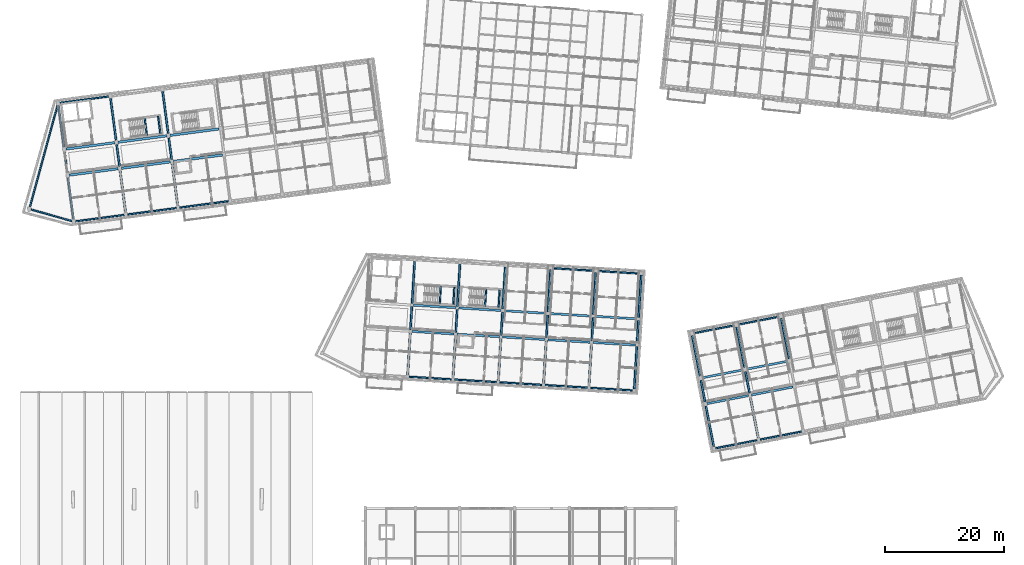
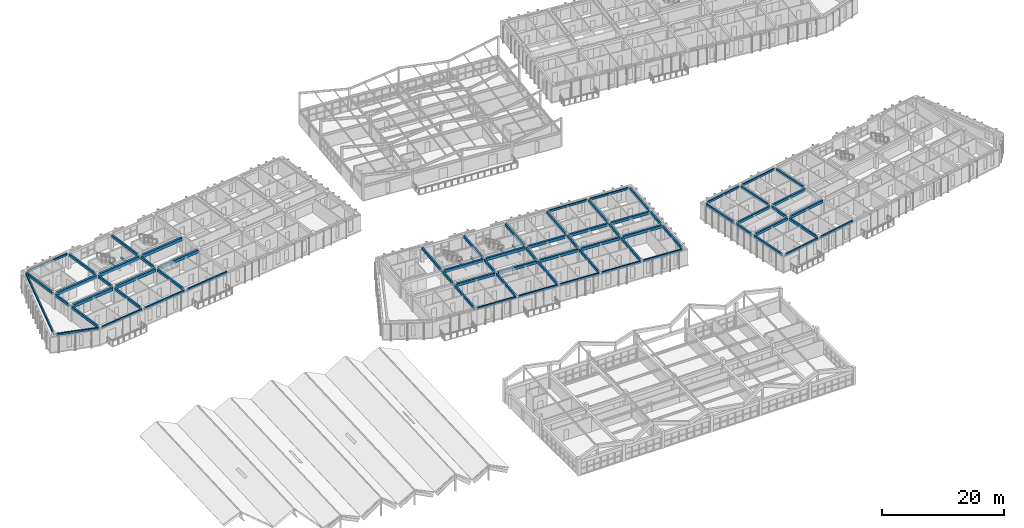
# One storey, part 33 of 127: 77 beams.
"""IFC4 building model written with IfcOpenShell, lengths in metres."""

from ifc_helpers import new_model, si_unit, direction, frame, origin, origin_2d, place, context, subcontext, project, spatial, rectangle, extrude, material, material_profile, profile_set, type_object, element, save


model = new_model("IFC4")

# Units and contexts
model_context = context("Model", 3, precision=1e-05, world=origin(), true_north=direction((0.0, 1.0)))
body_context = subcontext(model_context, "Body", "Model", "MODEL_VIEW")
ifc_project = project(units=[si_unit("LENGTHUNIT", "METRE"), si_unit("AREAUNIT", "SQUARE_METRE"), si_unit("VOLUMEUNIT", "CUBIC_METRE"), si_unit("PLANEANGLEUNIT", "RADIAN"), si_unit("MASSUNIT", "GRAM", prefix="KILO")], contexts=[model_context])

# Site, building, storey
site_placement = place(None, origin())
site = spatial("IfcSite", under=ifc_project, at=site_placement, CompositionType="ELEMENT")
building_placement = place(site_placement, origin())
building = spatial("IfcBuilding", under=site, at=building_placement, Name="Kestramere Prow Commons", CompositionType="ELEMENT")
storey_placement = place(building_placement, frame((0.0, 0.0, 8.39990234375)))
storey = spatial("IfcBuildingStorey", under=building, at=storey_placement, Name="L02", CompositionType="ELEMENT", Elevation=8.39990234375)

# Beams
ifc_material_1 = material(Name="Precast concrete C40/50", Category="concrete")
ifc_material_profile_1 = material_profile(ifc_material_1, rectangle(XDim=0.39990234375, YDim=0.60009765625, at=origin_2d()), Name="PC-BM 400x600")
ifc_profile_set_1 = profile_set([ifc_material_profile_1], Name="Precast concrete C40/50")
beam_type_1 = type_object("IfcBeamType", Name="BM-A1 PC-BM 400x600", PredefinedType="BEAM", material=ifc_profile_set_1)
for number, where, z_axis, x_axis, name in (
    (1, (10.45458984375, 79.76904296875, 2.7001953125), (0.991443917843, 0.130533358852, 0.0), (-0.130533358852, 0.991443917843, 0.0), "Block A L02 Longitudinal Beam 2-1"),
    (2, (19.17919921875, 80.917724609375, 2.7001953125), (0.991443917843, 0.130533358852, 0.0), (-0.130533358852, 0.991443917843, 0.0), "Block A L02 Longitudinal Beam 2-2"),
    (3, (27.904052734375, 82.06640625, 2.7001953125), (0.991443917843, 0.130533358852, 0.0), (-0.130533358852, 0.991443917843, 0.0), "Block A L02 Longitudinal Beam 2-3"),
    (4, (9.880126953125, 84.131591796875, 2.7001953125), (0.991447747213, 0.130504270221, 0.0), (-0.130504270221, 0.991447747213, 0.0), "Block A L02 Longitudinal Beam 3-1"),
    (5, (18.60498046875, 85.2802734375, 2.7001953125), (0.991447747213, 0.130504270221, 0.0), (-0.130504270221, 0.991447747213, 0.0), "Block A L02 Longitudinal Beam 3-2"),
    (6, (27.32958984375, 86.4287109375, 2.7001953125), (0.991443917843, 0.130533358852, 0.0), (-0.130533358852, 0.991443917843, 0.0), "Block A L02 Longitudinal Beam 3-3"),
):
    element("IfcBeam", number, at=place(storey_placement, frame(where, z_axis=z_axis, x_axis=x_axis)), inside=storey, type_object=beam_type_1, Name=name, PredefinedType="BEAM", context=body_context, shape_type="SweptSolid", body=[
        extrude(rectangle(XDim=0.39990234375, YDim=0.60009765625, at=origin_2d()), origin(), (0.0, 0.0, 1.0), 8.25),
    ])
ifc_material_profile_2 = material_profile(ifc_material_1, rectangle(XDim=0.35009765625, YDim=0.550048828125, at=origin_2d()), Name="PC-BM 350x550")
ifc_profile_set_2 = profile_set([ifc_material_profile_2], Name="Precast concrete C40/50")
beam_type_2 = type_object("IfcBeamType", Name="BM-C1 PC-BM 350x550", PredefinedType="BEAM", material=ifc_profile_set_2)
for number, where, z_axis, x_axis, name in (
    (7, (67.79931640625, 53.606689453125, 2.72509765625), (0.998133472633, -0.061070212127, 0.0), (0.061070212127, 0.998133472633, 0.0), "Block C L02 Longitudinal Beam 2-2"),
    (8, (75.38525390625, 53.142578125, 2.72509765625), (0.998135568114, -0.061035953884, 0.0), (0.061035953884, 0.998135568114, 0.0), "Block C L02 Longitudinal Beam 2-3"),
    (9, (82.970947265625, 52.6787109375, 2.72509765625), (0.998133472633, -0.061070212127, 0.0), (0.061070212127, 0.998133472633, 0.0), "Block C L02 Longitudinal Beam 2-4"),
    (10, (90.556884765625, 52.214599609375, 2.72509765625), (0.998135568114, -0.061035953884, 0.0), (0.061035953884, 0.998135568114, 0.0), "Block C L02 Longitudinal Beam 2-5"),
):
    element("IfcBeam", number, at=place(storey_placement, frame(where, z_axis=z_axis, x_axis=x_axis)), inside=storey, type_object=beam_type_2, Name=name, PredefinedType="BEAM", context=body_context, shape_type="SweptSolid", body=[
        extrude(rectangle(XDim=0.35009765625, YDim=0.550048828125, at=origin_2d()), origin(), (0.0, 0.0, 1.0), 7.099853515625),
    ])
for number, where, z_axis, x_axis, name in (
    (11, (98.142578125, 51.750732421875, 2.72509765625), (0.99813569621, -0.061033859059, 0.0), (0.061033859059, 0.99813569621, 0.0), "Block C L02 Longitudinal Beam 2-6"),
    (12, (68.06787109375, 57.998291015625, 2.72509765625), (0.99813569621, -0.061033859059, 0.0), (0.061033859059, 0.99813569621, 0.0), "Block C L02 Longitudinal Beam 3-2"),
):
    element("IfcBeam", number, at=place(storey_placement, frame(where, z_axis=z_axis, x_axis=x_axis)), inside=storey, type_object=beam_type_2, Name=name, PredefinedType="BEAM", context=body_context, shape_type="SweptSolid", body=[
        extrude(rectangle(XDim=0.35009765625, YDim=0.550048828125, at=origin_2d()), origin(), (0.0, 0.0, 1.0), 7.10009765625),
    ])
beam_1_placement = place(storey_placement, frame((75.65380859375, 57.534423828125, 2.72509765625), z_axis=(0.998135568114, -0.061035953884, 0.0), x_axis=(0.061035953884, 0.998135568114, 0.0)))
element("IfcBeam", 13, at=beam_1_placement, inside=storey, type_object=beam_type_2, Name="Block C L02 Longitudinal Beam 3-3", PredefinedType="BEAM", context=body_context, shape_type="SweptSolid", body=[
    extrude(rectangle(XDim=0.35009765625, YDim=0.550048828125, at=origin_2d()), origin(), (0.0, 0.0, 1.0), 7.099853515625),
])
beam_2_placement = place(storey_placement, frame((83.239501953125, 57.070556640625, 2.72509765625), z_axis=(0.998133600873, -0.061068116134, 0.0), x_axis=(0.061068116134, 0.998133600873, 0.0)))
element("IfcBeam", 14, at=beam_2_placement, inside=storey, type_object=beam_type_2, Name="Block C L02 Longitudinal Beam 3-4", PredefinedType="BEAM", context=body_context, shape_type="SweptSolid", body=[
    extrude(rectangle(XDim=0.35009765625, YDim=0.550048828125, at=origin_2d()), origin(), (0.0, 0.0, 1.0), 7.10009765625),
])
beam_3_placement = place(storey_placement, frame((90.825439453125, 56.6064453125, 2.72509765625), z_axis=(0.998135568114, -0.061035953884, 0.0), x_axis=(0.061035953884, 0.998135568114, 0.0)))
element("IfcBeam", 15, at=beam_3_placement, inside=storey, type_object=beam_type_2, Name="Block C L02 Longitudinal Beam 3-5", PredefinedType="BEAM", context=body_context, shape_type="SweptSolid", body=[
    extrude(rectangle(XDim=0.35009765625, YDim=0.550048828125, at=origin_2d()), origin(), (0.0, 0.0, 1.0), 7.099853515625),
])
beam_4_placement = place(storey_placement, frame((98.4111328125, 56.142578125, 2.72509765625), z_axis=(0.998133600873, -0.061068116134, 0.0), x_axis=(0.061068116134, 0.998133600873, 0.0)))
element("IfcBeam", 16, at=beam_4_placement, inside=storey, type_object=beam_type_2, Name="Block C L02 Longitudinal Beam 3-6", PredefinedType="BEAM", context=body_context, shape_type="SweptSolid", body=[
    extrude(rectangle(XDim=0.35009765625, YDim=0.550048828125, at=origin_2d()), origin(), (0.0, 0.0, 1.0), 7.10009765625),
])
ifc_material_profile_3 = material_profile(ifc_material_1, rectangle(XDim=0.35009765625, YDim=0.5, at=origin_2d()), Name="PC-BM 350x500")
ifc_profile_set_3 = profile_set([ifc_material_profile_3], Name="Precast concrete C40/50")
beam_type_3 = type_object("IfcBeamType", Name="BM-D1 PC-BM 350x500", PredefinedType="BEAM", material=ifc_profile_set_3)
beam_5_placement = place(storey_placement, frame((117.1953125, 41.508056640625, 2.75), z_axis=(0.981627020401, 0.190809834175, 0.0), x_axis=(-0.190809834175, 0.981627020401, 0.0)))
element("IfcBeam", 17, at=beam_5_placement, inside=storey, type_object=beam_type_3, Name="Block D L02 Longitudinal Beam 2-1", PredefinedType="BEAM", context=body_context, shape_type="SweptSolid", body=[
    extrude(rectangle(XDim=0.35009765625, YDim=0.5, at=origin_2d()), origin(), (0.0, 0.0, 1.0), 7.099853515625),
])
beam_6_placement = place(storey_placement, frame((124.655517578125, 42.958251953125, 2.75), z_axis=(0.98162827229, 0.190803393686, 0.0), x_axis=(-0.190803393686, 0.98162827229, 0.0)))
element("IfcBeam", 18, at=beam_6_placement, inside=storey, type_object=beam_type_3, Name="Block D L02 Longitudinal Beam 2-2", PredefinedType="BEAM", context=body_context, shape_type="SweptSolid", body=[
    extrude(rectangle(XDim=0.35009765625, YDim=0.5, at=origin_2d()), origin(), (0.0, 0.0, 1.0), 7.10009765625),
])
for number, where, z_axis, x_axis, name in (
    (19, (116.355712890625, 45.8271484375, 2.75), (0.981627020401, 0.190809834175, 0.0), (-0.190809834175, 0.981627020401, 0.0), "Block D L02 Longitudinal Beam 3-1"),
    (20, (123.816162109375, 47.27734375, 2.75), (0.981627020401, 0.190809834175, 0.0), (-0.190809834175, 0.981627020401, 0.0), "Block D L02 Longitudinal Beam 3-2"),
):
    element("IfcBeam", number, at=place(storey_placement, frame(where, z_axis=z_axis, x_axis=x_axis)), inside=storey, type_object=beam_type_3, Name=name, PredefinedType="BEAM", context=body_context, shape_type="SweptSolid", body=[
        extrude(rectangle(XDim=0.35009765625, YDim=0.5, at=origin_2d()), origin(), (0.0, 0.0, 1.0), 7.099853515625),
    ])
ifc_material_2 = material(Name="Concrete C40/50", Category="concrete")
ifc_material_profile_4 = material_profile(ifc_material_2, rectangle(XDim=0.25, YDim=0.35009765625, at=origin_2d()), Name="PC-BM 250x350")
ifc_profile_set_4 = profile_set([ifc_material_profile_4], Name="Concrete C40/50")
beam_type_4 = type_object("IfcBeamType", Name="BM-ST-TRIM", PredefinedType="BEAM", material=ifc_profile_set_4)
for number, where, z_axis, x_axis, name in (
    (21, (23.4384765625, 86.451171875, 1.25), (-0.130520071219, 0.9914456672, 0.0), (-0.9914456672, -0.130520071219, 0.0), "ST-A1 L02 Landing Trimmer Beam 1A"),
    (22, (25.698974609375, 86.748779296875, 1.25), (-0.130520071219, 0.9914456672, 0.0), (-0.9914456672, -0.130520071219, 0.0), "ST-A1 L02 Landing Trimmer Beam 1B"),
):
    element("IfcBeam", number, at=place(storey_placement, frame(where, z_axis=z_axis, x_axis=x_axis)), inside=storey, type_object=beam_type_4, Name=name, PredefinedType="BEAM", context=body_context, shape_type="SweptSolid", body=[
        extrude(rectangle(XDim=0.25, YDim=0.35009765625, at=origin_2d()), origin(), (0.0, 0.0, 1.0), 2.889892578125),
    ])
for number, where, z_axis, x_axis, name in (
    (23, (72.462158203125, 58.260498046875, 1.25), (0.061073995712, 0.99813324113, 0.0), (-0.99813324113, 0.061073995712, 0.0), "ST-C1 L02 Landing Trimmer Beam 1A"),
    (24, (74.73779296875, 58.121337890625, 1.25), (0.061073995712, 0.99813324113, 0.0), (-0.99813324113, 0.061073995712, 0.0), "ST-C1 L02 Landing Trimmer Beam 1B"),
):
    element("IfcBeam", number, at=place(storey_placement, frame(where, z_axis=z_axis, x_axis=x_axis)), inside=storey, type_object=beam_type_4, Name=name, PredefinedType="BEAM", context=body_context, shape_type="SweptSolid", body=[
        extrude(rectangle(XDim=0.25, YDim=0.35009765625, at=origin_2d()), origin(), (0.0, 0.0, 1.0), 2.89013671875),
    ])
for number, where, z_axis, x_axis, name in (
    (25, (80.0478515625, 57.796630859375, 1.25), (0.06107914562, 0.998132926003, 0.0), (-0.998132926003, 0.06107914562, 0.0), "ST-C2 L02 Landing Trimmer Beam 1A"),
    (26, (82.32373046875, 57.657470703125, 1.25), (0.06107914562, 0.998132926003, 0.0), (-0.998132926003, 0.06107914562, 0.0), "ST-C2 L02 Landing Trimmer Beam 1B"),
):
    element("IfcBeam", number, at=place(storey_placement, frame(where, z_axis=z_axis, x_axis=x_axis)), inside=storey, type_object=beam_type_4, Name=name, PredefinedType="BEAM", context=body_context, shape_type="SweptSolid", body=[
        extrude(rectangle(XDim=0.25, YDim=0.35009765625, at=origin_2d()), origin(), (0.0, 0.0, 1.0), 2.889892578125),
    ])
ifc_material_profile_5 = material_profile(ifc_material_1, rectangle(XDim=0.300048828125, YDim=0.5, at=origin_2d()), Name="PC-BM 300x500")
ifc_profile_set_5 = profile_set([ifc_material_profile_5], Name="Precast concrete C40/50")
beam_type_5 = type_object("IfcBeamType", Name="BM-TIE-01 PC-BM 300x500", PredefinedType="BEAM", material=ifc_profile_set_5)
beam_7_placement = place(storey_placement, frame((11.151123046875, 72.371826171875, 2.75), z_axis=(-0.130519009654, 0.99144580695, 0.0), x_axis=(-0.99144580695, -0.130519009654, 0.0)))
element("IfcBeam", 27, at=beam_7_placement, inside=storey, type_object=beam_type_5, Name="Block A L02 Transverse Beam 1-1", PredefinedType="BEAM", context=body_context, shape_type="SweptSolid", body=[
    extrude(rectangle(XDim=0.300048828125, YDim=0.5, at=origin_2d()), origin(), (0.0, 0.0, 1.0), 7.050048828125),
])
beam_8_placement = place(storey_placement, frame((10.133056640625, 80.10498046875, 2.75), z_axis=(-0.13056005306, 0.991440402921, 0.0), x_axis=(-0.991440402921, -0.13056005306, 0.0)))
element("IfcBeam", 28, at=beam_8_placement, inside=storey, type_object=beam_type_5, Name="Block A L02 Transverse Beam 1-2", PredefinedType="BEAM", context=body_context, shape_type="SweptSolid", body=[
    extrude(rectangle(XDim=0.300048828125, YDim=0.5, at=origin_2d()), origin(), (0.0, 0.0, 1.0), 3.650146484375),
])
for number, where, z_axis, x_axis, name in (
    (29, (9.55859375, 84.467529296875, 2.75), (-0.130523490966, 0.991445216997, 0.0), (-0.991445216997, -0.130523490966, 0.0), "Block A L02 Transverse Beam 1-3"),
    (30, (19.875732421875, 73.5205078125, 2.75), (-0.130523490966, 0.991445216997, 0.0), (-0.991445216997, -0.130523490966, 0.0), "Block A L02 Transverse Beam 2-1"),
):
    element("IfcBeam", number, at=place(storey_placement, frame(where, z_axis=z_axis, x_axis=x_axis)), inside=storey, type_object=beam_type_5, Name=name, PredefinedType="BEAM", context=body_context, shape_type="SweptSolid", body=[
        extrude(rectangle(XDim=0.300048828125, YDim=0.5, at=origin_2d()), origin(), (0.0, 0.0, 1.0), 7.0498046875),
    ])
beam_9_placement = place(storey_placement, frame((18.857666015625, 81.253662109375, 2.75), z_axis=(-0.130494307047, 0.991449058615, 0.0), x_axis=(-0.991449058615, -0.130494307047, 0.0)))
element("IfcBeam", 31, at=beam_9_placement, inside=storey, type_object=beam_type_5, Name="Block A L02 Transverse Beam 2-2", PredefinedType="BEAM", context=body_context, shape_type="SweptSolid", body=[
    extrude(rectangle(XDim=0.300048828125, YDim=0.5, at=origin_2d()), origin(), (0.0, 0.0, 1.0), 3.650146484375),
])
for number, where, z_axis, x_axis, name in (
    (32, (18.283447265625, 85.615966796875, 2.75), (-0.130553049113, 0.991441325227, 0.0), (-0.991441325227, -0.130553049113, 0.0), "Block A L02 Transverse Beam 2-3"),
    (33, (28.6005859375, 74.6689453125, 2.75), (-0.130553049113, 0.991441325227, 0.0), (-0.991441325227, -0.130553049113, 0.0), "Block A L02 Transverse Beam 3-1"),
):
    element("IfcBeam", number, at=place(storey_placement, frame(where, z_axis=z_axis, x_axis=x_axis)), inside=storey, type_object=beam_type_5, Name=name, PredefinedType="BEAM", context=body_context, shape_type="SweptSolid", body=[
        extrude(rectangle(XDim=0.300048828125, YDim=0.5, at=origin_2d()), origin(), (0.0, 0.0, 1.0), 7.050048828125),
    ])
beam_10_placement = place(storey_placement, frame((27.582275390625, 82.40234375, 2.75), z_axis=(-0.130502961205, 0.991447919518, 0.0), x_axis=(-0.991447919518, -0.130502961205, 0.0)))
element("IfcBeam", 34, at=beam_10_placement, inside=storey, type_object=beam_type_5, Name="Block A L02 Transverse Beam 3-2", PredefinedType="BEAM", context=body_context, shape_type="SweptSolid", body=[
    extrude(rectangle(XDim=0.300048828125, YDim=0.5, at=origin_2d()), origin(), (0.0, 0.0, 1.0), 3.64990234375),
])
beam_11_placement = place(storey_placement, frame((27.008056640625, 86.7646484375, 2.75), z_axis=(-0.130519009654, 0.99144580695, 0.0), x_axis=(-0.99144580695, -0.130519009654, 0.0)))
element("IfcBeam", 35, at=beam_11_placement, inside=storey, type_object=beam_type_5, Name="Block A L02 Transverse Beam 3-3", PredefinedType="BEAM", context=body_context, shape_type="SweptSolid", body=[
    extrude(rectangle(XDim=0.300048828125, YDim=0.5, at=origin_2d()), origin(), (0.0, 0.0, 1.0), 7.050048828125),
])
beam_12_placement = place(storey_placement, frame((67.10107421875, 46.28564453125, 2.75), z_axis=(0.061035953884, 0.998135568114, 0.0), x_axis=(-0.998135568114, 0.061035953884, 0.0)))
element("IfcBeam", 36, at=beam_12_placement, inside=storey, type_object=beam_type_5, Name="Block C L02 Transverse Beam 2-1", PredefinedType="BEAM", context=body_context, shape_type="SweptSolid", body=[
    extrude(rectangle(XDim=0.300048828125, YDim=0.5, at=origin_2d()), origin(), (0.0, 0.0, 1.0), 7.099853515625),
])
beam_13_placement = place(storey_placement, frame((67.56494140625, 53.871337890625, 2.75), z_axis=(0.061096063045, 0.998131890624, 0.0), x_axis=(-0.998131890624, 0.061096063045, 0.0)))
element("IfcBeam", 37, at=beam_13_placement, inside=storey, type_object=beam_type_5, Name="Block C L02 Transverse Beam 2-2", PredefinedType="BEAM", context=body_context, shape_type="SweptSolid", body=[
    extrude(rectangle(XDim=0.300048828125, YDim=0.5, at=origin_2d()), origin(), (0.0, 0.0, 1.0), 3.900146484375),
])
beam_14_placement = place(storey_placement, frame((67.833740234375, 58.26318359375, 2.75), z_axis=(0.061035953884, 0.998135568114, 0.0), x_axis=(-0.998135568114, 0.061035953884, 0.0)))
element("IfcBeam", 38, at=beam_14_placement, inside=storey, type_object=beam_type_5, Name="Block C L02 Transverse Beam 2-3", PredefinedType="BEAM", context=body_context, shape_type="SweptSolid", body=[
    extrude(rectangle(XDim=0.300048828125, YDim=0.5, at=origin_2d()), origin(), (0.0, 0.0, 1.0), 7.099853515625),
])
beam_15_placement = place(storey_placement, frame((74.68701171875, 45.821533203125, 2.75), z_axis=(0.061033859059, 0.99813569621, 0.0), x_axis=(-0.99813569621, 0.061033859059, 0.0)))
element("IfcBeam", 39, at=beam_15_placement, inside=storey, type_object=beam_type_5, Name="Block C L02 Transverse Beam 3-1", PredefinedType="BEAM", context=body_context, shape_type="SweptSolid", body=[
    extrude(rectangle(XDim=0.300048828125, YDim=0.5, at=origin_2d()), origin(), (0.0, 0.0, 1.0), 7.10009765625),
])
beam_16_placement = place(storey_placement, frame((75.15087890625, 53.407470703125, 2.75), z_axis=(0.061037511668, 0.998135472854, 0.0), x_axis=(-0.998135472854, 0.061037511668, 0.0)))
element("IfcBeam", 40, at=beam_16_placement, inside=storey, type_object=beam_type_5, Name="Block C L02 Transverse Beam 3-2", PredefinedType="BEAM", context=body_context, shape_type="SweptSolid", body=[
    extrude(rectangle(XDim=0.300048828125, YDim=0.5, at=origin_2d()), origin(), (0.0, 0.0, 1.0), 3.89990234375),
])
for number, where, z_axis, x_axis, name in (
    (41, (75.41943359375, 57.79931640625, 2.75), (0.061070212127, 0.998133472633, 0.0), (-0.998133472633, 0.061070212127, 0.0), "Block C L02 Transverse Beam 3-3"),
    (42, (82.272705078125, 45.357666015625, 2.75), (0.061070212127, 0.998133472633, 0.0), (-0.998133472633, 0.061070212127, 0.0), "Block C L02 Transverse Beam 4-1"),
):
    element("IfcBeam", number, at=place(storey_placement, frame(where, z_axis=z_axis, x_axis=x_axis)), inside=storey, type_object=beam_type_5, Name=name, PredefinedType="BEAM", context=body_context, shape_type="SweptSolid", body=[
        extrude(rectangle(XDim=0.300048828125, YDim=0.5, at=origin_2d()), origin(), (0.0, 0.0, 1.0), 7.099853515625),
    ])
beam_17_placement = place(storey_placement, frame((82.73681640625, 52.943359375, 2.75), z_axis=(0.061033697925, 0.998135706063, 0.0), x_axis=(-0.998135706063, 0.061033697925, 0.0)))
element("IfcBeam", 43, at=beam_17_placement, inside=storey, type_object=beam_type_5, Name="Block C L02 Transverse Beam 4-2", PredefinedType="BEAM", context=body_context, shape_type="SweptSolid", body=[
    extrude(rectangle(XDim=0.300048828125, YDim=0.5, at=origin_2d()), origin(), (0.0, 0.0, 1.0), 3.900146484375),
])
for number, where, z_axis, x_axis, name in (
    (44, (83.00537109375, 57.335205078125, 2.75), (0.061033859059, 0.99813569621, 0.0), (-0.99813569621, 0.061033859059, 0.0), "Block C L02 Transverse Beam 4-3"),
    (45, (89.858642578125, 44.8935546875, 2.75), (0.061033859059, 0.99813569621, 0.0), (-0.99813569621, 0.061033859059, 0.0), "Block C L02 Transverse Beam 5-1"),
):
    element("IfcBeam", number, at=place(storey_placement, frame(where, z_axis=z_axis, x_axis=x_axis)), inside=storey, type_object=beam_type_5, Name=name, PredefinedType="BEAM", context=body_context, shape_type="SweptSolid", body=[
        extrude(rectangle(XDim=0.300048828125, YDim=0.5, at=origin_2d()), origin(), (0.0, 0.0, 1.0), 7.10009765625),
    ])
beam_18_placement = place(storey_placement, frame((90.322509765625, 52.4794921875, 2.75), z_axis=(0.061033697925, 0.998135706063, 0.0), x_axis=(-0.998135706063, 0.061033697925, 0.0)))
element("IfcBeam", 46, at=beam_18_placement, inside=storey, type_object=beam_type_5, Name="Block C L02 Transverse Beam 5-2", PredefinedType="BEAM", context=body_context, shape_type="SweptSolid", body=[
    extrude(rectangle(XDim=0.300048828125, YDim=0.5, at=origin_2d()), origin(), (0.0, 0.0, 1.0), 3.900146484375),
])
for number, where, z_axis, x_axis, name in (
    (47, (90.591064453125, 56.871337890625, 2.75), (0.061070212127, 0.998133472633, 0.0), (-0.998133472633, 0.061070212127, 0.0), "Block C L02 Transverse Beam 5-3"),
    (48, (97.4443359375, 44.4296875, 2.75), (0.061070212127, 0.998133472633, 0.0), (-0.998133472633, 0.061070212127, 0.0), "Block C L02 Transverse Beam 6-1"),
):
    element("IfcBeam", number, at=place(storey_placement, frame(where, z_axis=z_axis, x_axis=x_axis)), inside=storey, type_object=beam_type_5, Name=name, PredefinedType="BEAM", context=body_context, shape_type="SweptSolid", body=[
        extrude(rectangle(XDim=0.300048828125, YDim=0.5, at=origin_2d()), origin(), (0.0, 0.0, 1.0), 7.099853515625),
    ])
beam_19_placement = place(storey_placement, frame((97.908447265625, 52.015625, 2.75), z_axis=(0.061037511668, 0.998135472854, 0.0), x_axis=(-0.998135472854, 0.061037511668, 0.0)))
element("IfcBeam", 49, at=beam_19_placement, inside=storey, type_object=beam_type_5, Name="Block C L02 Transverse Beam 6-2", PredefinedType="BEAM", context=body_context, shape_type="SweptSolid", body=[
    extrude(rectangle(XDim=0.300048828125, YDim=0.5, at=origin_2d()), origin(), (0.0, 0.0, 1.0), 3.89990234375),
])
beam_20_placement = place(storey_placement, frame((98.177001953125, 56.4072265625, 2.75), z_axis=(0.061033859059, 0.99813569621, 0.0), x_axis=(-0.99813569621, 0.061033859059, 0.0)))
element("IfcBeam", 50, at=beam_20_placement, inside=storey, type_object=beam_type_5, Name="Block C L02 Transverse Beam 6-3", PredefinedType="BEAM", context=body_context, shape_type="SweptSolid", body=[
    extrude(rectangle(XDim=0.300048828125, YDim=0.5, at=origin_2d()), origin(), (0.0, 0.0, 1.0), 7.10009765625),
])
beam_21_placement = place(storey_placement, frame((105.0302734375, 43.9658203125, 2.75), z_axis=(0.061035953884, 0.998135568114, 0.0), x_axis=(-0.998135568114, 0.061035953884, 0.0)))
element("IfcBeam", 51, at=beam_21_placement, inside=storey, type_object=beam_type_5, Name="Block C L02 Transverse Beam 7-1", PredefinedType="BEAM", context=body_context, shape_type="SweptSolid", body=[
    extrude(rectangle(XDim=0.300048828125, YDim=0.5, at=origin_2d()), origin(), (0.0, 0.0, 1.0), 7.099853515625),
])
beam_22_placement = place(storey_placement, frame((105.494140625, 51.551513671875, 2.75), z_axis=(0.061033697925, 0.998135706063, 0.0), x_axis=(-0.998135706063, 0.061033697925, 0.0)))
element("IfcBeam", 52, at=beam_22_placement, inside=storey, type_object=beam_type_5, Name="Block C L02 Transverse Beam 7-2", PredefinedType="BEAM", context=body_context, shape_type="SweptSolid", body=[
    extrude(rectangle(XDim=0.300048828125, YDim=0.5, at=origin_2d()), origin(), (0.0, 0.0, 1.0), 3.900146484375),
])
beam_23_placement = place(storey_placement, frame((105.7626953125, 55.943359375, 2.75), z_axis=(0.061070212127, 0.998133472633, 0.0), x_axis=(-0.998133472633, 0.061070212127, 0.0)))
element("IfcBeam", 53, at=beam_23_placement, inside=storey, type_object=beam_type_5, Name="Block C L02 Transverse Beam 7-3", PredefinedType="BEAM", context=body_context, shape_type="SweptSolid", body=[
    extrude(rectangle(XDim=0.300048828125, YDim=0.5, at=origin_2d()), origin(), (0.0, 0.0, 1.0), 7.099853515625),
])
beam_24_placement = place(storey_placement, frame((118.333251953125, 34.343505859375, 2.75), z_axis=(-0.190819465253, 0.981625148252, 0.0), x_axis=(-0.981625148252, -0.190819465253, 0.0)))
element("IfcBeam", 54, at=beam_24_placement, inside=storey, type_object=beam_type_5, Name="Block D L02 Transverse Beam 1-1", PredefinedType="BEAM", context=body_context, shape_type="SweptSolid", body=[
    extrude(rectangle(XDim=0.300048828125, YDim=0.5, at=origin_2d()), origin(), (0.0, 0.0, 1.0), 6.89990234375),
])
beam_25_placement = place(storey_placement, frame((116.883056640625, 41.803955078125, 2.75), z_axis=(-0.190821974723, 0.981624660429, 0.0), x_axis=(-0.981624660429, -0.190821974723, 0.0)))
element("IfcBeam", 55, at=beam_25_placement, inside=storey, type_object=beam_type_5, Name="Block D L02 Transverse Beam 1-2", PredefinedType="BEAM", context=body_context, shape_type="SweptSolid", body=[
    extrude(rectangle(XDim=0.300048828125, YDim=0.5, at=origin_2d()), origin(), (0.0, 0.0, 1.0), 3.699951171875),
])
for number, where, z_axis, x_axis, name in (
    (56, (116.04345703125, 46.123046875, 2.75), (-0.190819465253, 0.981625148252, 0.0), (-0.981625148252, -0.190819465253, 0.0), "Block D L02 Transverse Beam 1-3"),
    (57, (125.793701171875, 35.793701171875, 2.75), (-0.190819465253, 0.981625148252, 0.0), (-0.981625148252, -0.190819465253, 0.0), "Block D L02 Transverse Beam 2-1"),
):
    element("IfcBeam", number, at=place(storey_placement, frame(where, z_axis=z_axis, x_axis=x_axis)), inside=storey, type_object=beam_type_5, Name=name, PredefinedType="BEAM", context=body_context, shape_type="SweptSolid", body=[
        extrude(rectangle(XDim=0.300048828125, YDim=0.5, at=origin_2d()), origin(), (0.0, 0.0, 1.0), 6.89990234375),
    ])
beam_26_placement = place(storey_placement, frame((124.343505859375, 43.254150390625, 2.75), z_axis=(-0.190834335095, 0.981622257566, 0.0), x_axis=(-0.981622257566, -0.190834335095, 0.0)))
element("IfcBeam", 58, at=beam_26_placement, inside=storey, type_object=beam_type_5, Name="Block D L02 Transverse Beam 2-2", PredefinedType="BEAM", context=body_context, shape_type="SweptSolid", body=[
    extrude(rectangle(XDim=0.300048828125, YDim=0.5, at=origin_2d()), origin(), (0.0, 0.0, 1.0), 3.699951171875),
])
for number, where, z_axis, x_axis, name in (
    (59, (123.50390625, 47.5732421875, 2.75), (-0.190819465253, 0.981625148252, 0.0), (-0.981625148252, -0.190819465253, 0.0), "Block D L02 Transverse Beam 2-3"),
    (60, (130.96435546875, 49.0234375, 2.75), (-0.190819465253, 0.981625148252, 0.0), (-0.981625148252, -0.190819465253, 0.0), "Block D L02 Transverse Beam 3-3"),
):
    element("IfcBeam", number, at=place(storey_placement, frame(where, z_axis=z_axis, x_axis=x_axis)), inside=storey, type_object=beam_type_5, Name=name, PredefinedType="BEAM", context=body_context, shape_type="SweptSolid", body=[
        extrude(rectangle(XDim=0.300048828125, YDim=0.5, at=origin_2d()), origin(), (0.0, 0.0, 1.0), 6.89990234375),
    ])
ifc_material_profile_6 = material_profile(ifc_material_1, rectangle(XDim=0.25, YDim=0.39990234375, at=origin_2d()), Name="PC-SP 250x400")
ifc_profile_set_6 = profile_set([ifc_material_profile_6], Name="Precast concrete C40/50")
beam_type_6 = type_object("IfcBeamType", Name="SP-EXT-01 PC-SP 250x400", PredefinedType="SPANDREL", material=ifc_profile_set_6)
beam_27_placement = place(storey_placement, frame((10.930419921875, 72.075927734375, 2.800048828125), z_axis=(-0.96246176941, 0.271417284681, 0.0), x_axis=(-0.271417284681, -0.96246176941, 0.0)))
element("IfcBeam", 61, at=beam_27_placement, inside=storey, type_object=beam_type_6, Name="Block A L02 Prow Facet Beam S", PredefinedType="SPANDREL", context=body_context, shape_type="SweptSolid", body=[
    extrude(rectangle(XDim=0.25, YDim=0.39990234375, at=origin_2d()), origin(), (0.0, 0.0, 1.0), 7.167236328125),
])
beam_28_placement = place(storey_placement, frame((8.515869140625, 91.558837890625, 2.800048828125), z_axis=(-0.262653591278, -0.964890196338, 0.0), x_axis=(0.964890196338, -0.262653591278, 0.0)))
element("IfcBeam", 62, at=beam_28_placement, inside=storey, type_object=beam_type_6, Name="Block A L02 Prow Facet Beam N", PredefinedType="SPANDREL", context=body_context, shape_type="SweptSolid", body=[
    extrude(rectangle(XDim=0.25, YDim=0.39990234375, at=origin_2d()), origin(), (0.0, 0.0, 1.0), 17.81689453125),
])
for number, where, z_axis, x_axis, name in (
    (63, (11.47265625, 72.035888671875, 2.800048828125), (0.991443917843, 0.130533358852, 0.0), (-0.130533358852, 0.991443917843, 0.0), "Block A L02 Longitudinal Beam 1-1"),
    (64, (20.197265625, 73.1845703125, 2.800048828125), (0.991443917843, 0.130533358852, 0.0), (-0.130533358852, 0.991443917843, 0.0), "Block A L02 Longitudinal Beam 1-2"),
    (65, (28.922119140625, 74.333251953125, 2.800048828125), (0.991447747213, 0.130504270221, 0.0), (-0.130504270221, 0.991447747213, 0.0), "Block A L02 Longitudinal Beam 1-3"),
    (66, (8.862060546875, 91.86474609375, 2.800048828125), (0.991443917843, 0.130533358852, 0.0), (-0.130533358852, 0.991443917843, 0.0), "Block A L02 Longitudinal Beam 4-1"),
):
    element("IfcBeam", number, at=place(storey_placement, frame(where, z_axis=z_axis, x_axis=x_axis)), inside=storey, type_object=beam_type_6, Name=name, PredefinedType="SPANDREL", context=body_context, shape_type="SweptSolid", body=[
        extrude(rectangle(XDim=0.25, YDim=0.39990234375, at=origin_2d()), origin(), (0.0, 0.0, 1.0), 8.25),
    ])
beam_29_placement = place(storey_placement, frame((67.33544921875, 46.020751953125, 2.800048828125), z_axis=(0.998135568114, -0.061035953884, 0.0), x_axis=(0.061035953884, 0.998135568114, 0.0)))
element("IfcBeam", 67, at=beam_29_placement, inside=storey, type_object=beam_type_6, Name="Block C L02 Longitudinal Beam 1-2", PredefinedType="SPANDREL", context=body_context, shape_type="SweptSolid", body=[
    extrude(rectangle(XDim=0.25, YDim=0.39990234375, at=origin_2d()), origin(), (0.0, 0.0, 1.0), 7.099853515625),
])
beam_30_placement = place(storey_placement, frame((74.921142578125, 45.556884765625, 2.800048828125), z_axis=(0.998133600873, -0.061068116134, 0.0), x_axis=(0.061068116134, 0.998133600873, 0.0)))
element("IfcBeam", 68, at=beam_30_placement, inside=storey, type_object=beam_type_6, Name="Block C L02 Longitudinal Beam 1-3", PredefinedType="SPANDREL", context=body_context, shape_type="SweptSolid", body=[
    extrude(rectangle(XDim=0.25, YDim=0.39990234375, at=origin_2d()), origin(), (0.0, 0.0, 1.0), 7.10009765625),
])
beam_31_placement = place(storey_placement, frame((82.507080078125, 45.0927734375, 2.800048828125), z_axis=(0.998135568114, -0.061035953884, 0.0), x_axis=(0.061035953884, 0.998135568114, 0.0)))
element("IfcBeam", 69, at=beam_31_placement, inside=storey, type_object=beam_type_6, Name="Block C L02 Longitudinal Beam 1-4", PredefinedType="SPANDREL", context=body_context, shape_type="SweptSolid", body=[
    extrude(rectangle(XDim=0.25, YDim=0.39990234375, at=origin_2d()), origin(), (0.0, 0.0, 1.0), 7.099853515625),
])
beam_32_placement = place(storey_placement, frame((90.0927734375, 44.62890625, 2.800048828125), z_axis=(0.998133600873, -0.061068116134, 0.0), x_axis=(0.061068116134, 0.998133600873, 0.0)))
element("IfcBeam", 70, at=beam_32_placement, inside=storey, type_object=beam_type_6, Name="Block C L02 Longitudinal Beam 1-5", PredefinedType="SPANDREL", context=body_context, shape_type="SweptSolid", body=[
    extrude(rectangle(XDim=0.25, YDim=0.39990234375, at=origin_2d()), origin(), (0.0, 0.0, 1.0), 7.10009765625),
])
beam_33_placement = place(storey_placement, frame((97.6787109375, 44.164794921875, 2.800048828125), z_axis=(0.998135568114, -0.061035953884, 0.0), x_axis=(0.061035953884, 0.998135568114, 0.0)))
element("IfcBeam", 71, at=beam_33_placement, inside=storey, type_object=beam_type_6, Name="Block C L02 Longitudinal Beam 1-6", PredefinedType="SPANDREL", context=body_context, shape_type="SweptSolid", body=[
    extrude(rectangle(XDim=0.25, YDim=0.39990234375, at=origin_2d()), origin(), (0.0, 0.0, 1.0), 7.099853515625),
])
beam_34_placement = place(storey_placement, frame((91.289306640625, 64.1923828125, 2.800048828125), z_axis=(0.998133600873, -0.061068116134, 0.0), x_axis=(0.061068116134, 0.998133600873, 0.0)))
element("IfcBeam", 72, at=beam_34_placement, inside=storey, type_object=beam_type_6, Name="Block C L02 Longitudinal Beam 4-5", PredefinedType="SPANDREL", context=body_context, shape_type="SweptSolid", body=[
    extrude(rectangle(XDim=0.25, YDim=0.39990234375, at=origin_2d()), origin(), (0.0, 0.0, 1.0), 7.10009765625),
])
for number, where, z_axis, x_axis, name in (
    (73, (98.875244140625, 63.728271484375, 2.800048828125), (0.998135568114, -0.061035953884, 0.0), (0.061035953884, 0.998135568114, 0.0), "Block C L02 Longitudinal Beam 4-6"),
    (74, (118.6455078125, 34.047607421875, 2.800048828125), (0.981627020401, 0.190809834175, 0.0), (-0.190809834175, 0.981627020401, 0.0), "Block D L02 Longitudinal Beam 1-1"),
):
    element("IfcBeam", number, at=place(storey_placement, frame(where, z_axis=z_axis, x_axis=x_axis)), inside=storey, type_object=beam_type_6, Name=name, PredefinedType="SPANDREL", context=body_context, shape_type="SweptSolid", body=[
        extrude(rectangle(XDim=0.25, YDim=0.39990234375, at=origin_2d()), origin(), (0.0, 0.0, 1.0), 7.099853515625),
    ])
beam_35_placement = place(storey_placement, frame((126.105712890625, 35.497802734375, 2.800048828125), z_axis=(0.98162827229, 0.190803393686, 0.0), x_axis=(-0.190803393686, 0.98162827229, 0.0)))
element("IfcBeam", 75, at=beam_35_placement, inside=storey, type_object=beam_type_6, Name="Block D L02 Longitudinal Beam 1-2", PredefinedType="SPANDREL", context=body_context, shape_type="SweptSolid", body=[
    extrude(rectangle(XDim=0.25, YDim=0.39990234375, at=origin_2d()), origin(), (0.0, 0.0, 1.0), 7.10009765625),
])
for number, where, z_axis, x_axis, name in (
    (76, (114.905517578125, 53.28759765625, 2.800048828125), (0.981627020401, 0.190809834175, 0.0), (-0.190809834175, 0.981627020401, 0.0), "Block D L02 Longitudinal Beam 4-1"),
    (77, (122.365966796875, 54.73779296875, 2.800048828125), (0.981627020401, 0.190809834175, 0.0), (-0.190809834175, 0.981627020401, 0.0), "Block D L02 Longitudinal Beam 4-2"),
):
    element("IfcBeam", number, at=place(storey_placement, frame(where, z_axis=z_axis, x_axis=x_axis)), inside=storey, type_object=beam_type_6, Name=name, PredefinedType="SPANDREL", context=body_context, shape_type="SweptSolid", body=[
        extrude(rectangle(XDim=0.25, YDim=0.39990234375, at=origin_2d()), origin(), (0.0, 0.0, 1.0), 7.099853515625),
    ])

save(model, "model.ifc")
